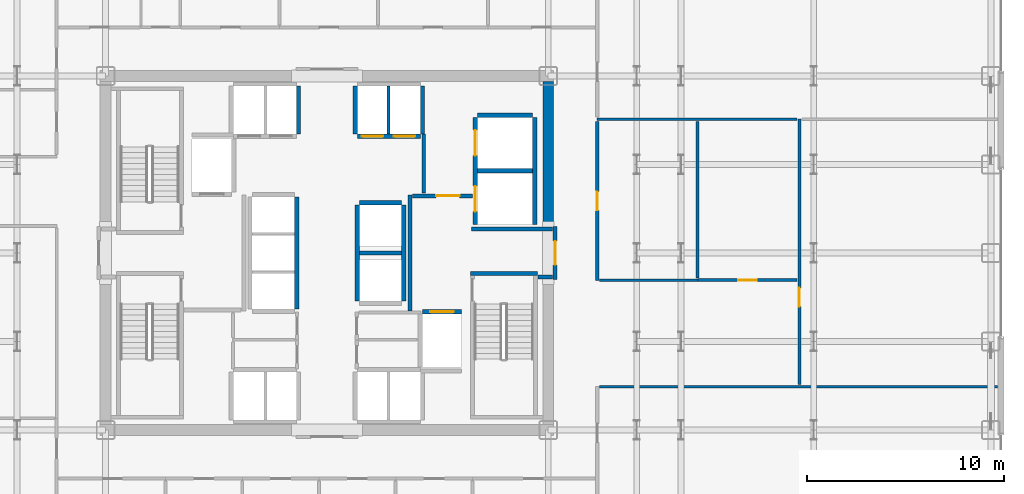
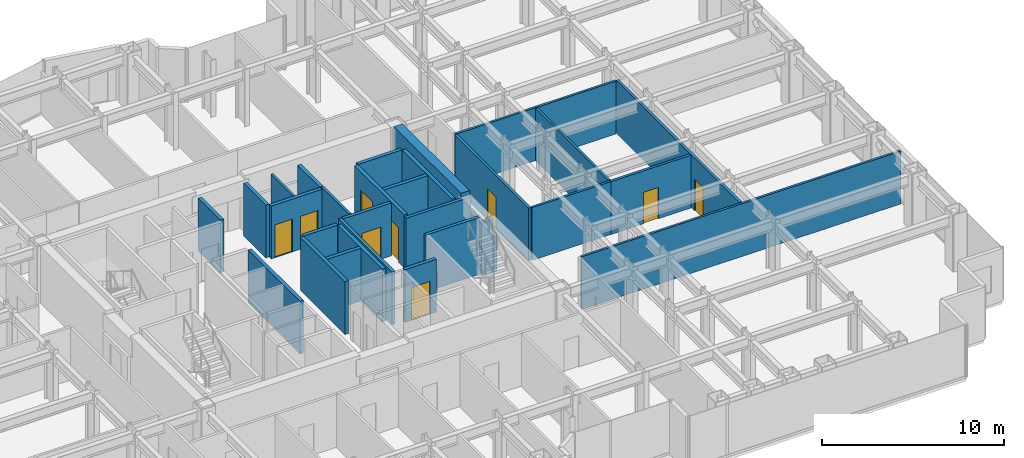
# One storey, part 25 of 29: 30 walls, 10 doors, 10 openings.
"""IFC4 building model written with IfcOpenShell, lengths in metres."""

from ifc_helpers import new_model, si_unit, direction, frame, frame_2d, origin, place, context, subcontext, project, spatial, rectangle, extrude, source, transform, mapped, material, layer, layer_set, type_object, element, fill, save


model = new_model("IFC4")

# Units and contexts
model_context = context("Model", 3, precision=1e-05, world=origin(), true_north=direction((0.0, 1.0)))
body_context = subcontext(model_context, "Body", "Model", "MODEL_VIEW")
ifc_project = project(units=[si_unit("LENGTHUNIT", "METRE"), si_unit("AREAUNIT", "SQUARE_METRE"), si_unit("VOLUMEUNIT", "CUBIC_METRE"), si_unit("PLANEANGLEUNIT", "RADIAN"), si_unit("MASSUNIT", "GRAM", prefix="KILO")], contexts=[model_context])

# Site, building, storey
site_placement = place(None, origin())
site = spatial("IfcSite", under=ifc_project, at=site_placement, CompositionType="ELEMENT")
building_placement = place(site_placement, origin())
building = spatial("IfcBuilding", under=site, at=building_placement, Name="Nefas-Gora Pilgrimage Tower", CompositionType="ELEMENT")
storey_placement = place(building_placement, frame((0.0, 0.0, 90.800048828125)))
storey = spatial("IfcBuildingStorey", under=building, at=storey_placement, Name="L21", CompositionType="ELEMENT", Elevation=90.800048828125)

# Walls
ifc_material_1 = material(Name="Concrete C60/75", Category="concrete")
ifc_layer_1 = layer(ifc_material_1, 0.550048828125)
ifc_layer_set_1 = layer_set([ifc_layer_1], Name="Concrete C60/75")
wall_type_1 = type_object("IfcWallType", Name="SW-CORE-550", PredefinedType="SHEAR", material=ifc_layer_set_1)
shared_shape_1 = source(origin(), body_context, "Body", "SweptSolid", [
    extrude(rectangle(XDim=7.375, YDim=0.550048828125, at=frame_2d((3.6875, 0.0))), origin(), (0.0, 0.0, 1.0), 3.800048828125),
])
wall_1_placement = place(storey_placement, frame((11.25, 1.35009765625, 0.0), z_axis=(0.0, 0.0, 1.0), x_axis=(0.0, 1.0, 0.0)))
element("IfcWall", 1, at=wall_1_placement, inside=storey, type_object=wall_type_1, Name="L21 Core Shear Wall E-North", PredefinedType="SHEAR", context=body_context, shape_type="MappedRepresentation", body=[
    mapped(shared_shape_1, transform((0.0, 0.0, 0.0), x_axis=(1.0, 0.0, 0.0), y_axis=(0.0, 1.0, 0.0), z_axis=(0.0, 0.0, 1.0), scale=1.0)),
])
ifc_material_2 = material(Name="Concrete C45/55", Category="concrete")
ifc_layer_2 = layer(ifc_material_2, 0.199951171875)
ifc_layer_set_2 = layer_set([ifc_layer_2], Name="Concrete C45/55")
wall_type_2 = type_object("IfcWallType", Name="IW-STAIR-200", PredefinedType="SOLIDWALL", material=ifc_layer_set_2)
shared_shape_2 = source(origin(), body_context, "Body", "SweptSolid", [
    extrude(rectangle(XDim=3.39990234375, YDim=0.199951171875, at=frame_2d((1.699951171875, 0.0))), origin(), (0.0, 0.0, 1.0), 3.800048828125),
])
wall_2_placement = place(storey_placement, frame((7.300048828125, -1.050048828125, 0.0), z_axis=(0.0, 0.0, 1.0), x_axis=(1.0, 0.0, 0.0)))
element("IfcWall", 2, at=wall_2_placement, inside=storey, type_object=wall_type_2, Name="L21 Stairwell Shear Wall ST-02-near", PredefinedType="SOLIDWALL", context=body_context, shape_type="MappedRepresentation", body=[
    mapped(shared_shape_2, transform((0.0, 0.0, 0.0), x_axis=(1.0, 0.0, 0.0), y_axis=(0.0, 1.0, 0.0), z_axis=(0.0, 0.0, 1.0), scale=1.0)),
])

# Wall, opening, door
ifc_material_3 = material(Name="Concrete C40/50", Category="concrete")
ifc_layer_3 = layer(ifc_material_3, 0.219970703125)
ifc_layer_set_3 = layer_set([ifc_layer_3], Name="Concrete C40/50")
wall_type_3 = type_object("IfcWallType", Name="IW-SHAFT-220", PredefinedType="SOLIDWALL", material=ifc_layer_set_3)
shared_shape_3 = source(origin(), body_context, "Body", "SweptSolid", [
    extrude(rectangle(XDim=2.0, YDim=0.219970703125, at=frame_2d((1.0, 0.0))), origin(), (0.0, 0.0, 1.0), 3.534912109375),
])
wall_3_placement = place(storey_placement, frame((6.85009765625, -2.989990234375, 0.0), z_axis=(0.0, 0.0, 1.0), x_axis=(-1.0, 0.0, 0.0)))
wall_3 = element("IfcWall", 3, at=wall_3_placement, inside=storey, type_object=wall_type_3, Name="L21 Hoistway Wall FFL-02-N", PredefinedType="SOLIDWALL", context=body_context, shape_type="MappedRepresentation", body=[
    mapped(shared_shape_3, transform((0.0, 0.0, 0.0), x_axis=(1.0, 0.0, 0.0), y_axis=(0.0, 1.0, 0.0), z_axis=(0.0, 0.0, 1.0), scale=1.0)),
])
opening_1_placement = place(wall_3_placement, frame((0.39990234375, 0.0, 0.0)))
opening_1 = element("IfcOpeningElement", 4, at=opening_1_placement, cuts=wall_3, Name="Opening LD-FF", PredefinedType="OPENING", context=body_context, shape_type="SweptSolid", body=[
    extrude(rectangle(XDim=1.199951171875, YDim=2.199951171875, at=frame_2d((0.60009765625, 1.10009765625))), frame((0.0, 0.119873046875, 0.0), z_axis=(0.0, -1.0, 0.0), x_axis=(1.0, 0.0, 0.0)), (0.0, 0.0, 1.0), 0.239990234375),
])
ifc_material_4 = material(Name="Fire-service sliding lift landing door")
door_type_1 = type_object("IfcDoorType", Name="DR-LIFT-FSAE-1200", OperationType="SLIDING_TO_LEFT", PredefinedType="DOOR", material=ifc_material_4)
shared_shape_4 = source(origin(), body_context, "Body", "SweptSolid", [
    extrude(rectangle(XDim=1.199951171875, YDim=2.199951171875, at=frame_2d((0.60009765625, 1.10009765625))), frame((0.0, 0.02490234375, 0.0), z_axis=(0.0, -1.0, 0.0), x_axis=(1.0, 0.0, 0.0)), (0.0, 0.0, 1.0), 0.050048828125),
])
door_1_placement = place(opening_1_placement, origin())
door_1 = element("IfcDoor", 5, at=door_1_placement, inside=storey, type_object=door_type_1, Name="L21 Sliding Lift Landing Door FFL-02", OperationType="SLIDING_TO_LEFT", OverallHeight=2.199951171875, OverallWidth=1.199951171875, PredefinedType="DOOR", context=body_context, shape_type="MappedRepresentation", body=[
    mapped(shared_shape_4, transform((0.0, 0.0, 0.0), x_axis=(1.0, 0.0, 0.0), y_axis=(0.0, 1.0, 0.0), z_axis=(0.0, 0.0, 1.0), scale=1.0)),
])
fill(opening_1, door_1)

# Wall, openings, doors
shared_shape_5 = source(origin(), body_context, "Body", "SweptSolid", [
    extrude(rectangle(XDim=5.449951171875, YDim=0.219970703125, at=frame_2d((2.72509765625, 0.0))), origin(), (0.0, 0.0, 1.0), 3.534912109375),
])
wall_4_placement = place(storey_placement, frame((7.5400390625, 6.89990234375, 0.0), z_axis=(0.0, 0.0, 1.0), x_axis=(0.0, -1.0, 0.0)))
wall_4 = element("IfcWall", 6, at=wall_4_placement, inside=storey, type_object=wall_type_3, Name="L21 Hoistway Wall SL-01-02-W", PredefinedType="SOLIDWALL", context=body_context, shape_type="MappedRepresentation", body=[
    mapped(shared_shape_5, transform((0.0, 0.0, 0.0), x_axis=(1.0, 0.0, 0.0), y_axis=(0.0, 1.0, 0.0), z_axis=(0.0, 0.0, 1.0), scale=1.0)),
])
opening_2_placement = place(wall_4_placement, frame((3.5, 0.0, 0.0)))
opening_2 = element("IfcOpeningElement", 7, at=opening_2_placement, cuts=wall_4, Name="Opening LD-SV", PredefinedType="OPENING", context=body_context, shape_type="SweptSolid", body=[
    extrude(rectangle(XDim=1.300048828125, YDim=2.300048828125, at=frame_2d((0.64990234375, 1.14990234375))), frame((0.0, 0.119873046875, 0.0), z_axis=(0.0, -1.0, 0.0), x_axis=(1.0, 0.0, 0.0)), (0.0, 0.0, 1.0), 0.239990234375),
])
opening_3_placement = place(wall_4_placement, frame((0.64990234375, 0.0, 0.0)))
opening_3 = element("IfcOpeningElement", 8, at=opening_3_placement, cuts=wall_4, Name="Opening LD-SV", PredefinedType="OPENING", context=body_context, shape_type="SweptSolid", body=[
    extrude(rectangle(XDim=1.300048828125, YDim=2.300048828125, at=frame_2d((0.64990234375, 1.14990234375))), frame((0.0, 0.119873046875, 0.0), z_axis=(0.0, -1.0, 0.0), x_axis=(1.0, 0.0, 0.0)), (0.0, 0.0, 1.0), 0.239990234375),
])
ifc_material_5 = material(Name="Heavy goods sliding lift landing door")
door_type_2 = type_object("IfcDoorType", Name="DR-LIFT-SERV-1300", OperationType="SLIDING_TO_RIGHT", PredefinedType="DOOR", material=ifc_material_5)
shared_shape_6 = source(origin(), body_context, "Body", "SweptSolid", [
    extrude(rectangle(XDim=1.300048828125, YDim=2.300048828125, at=frame_2d((0.64990234375, 1.14990234375))), frame((0.0, 0.02490234375, 0.0), z_axis=(0.0, -1.0, 0.0), x_axis=(1.0, 0.0, 0.0)), (0.0, 0.0, 1.0), 0.050048828125),
])
door_2_placement = place(opening_2_placement, origin())
door_2 = element("IfcDoor", 9, at=door_2_placement, inside=storey, type_object=door_type_2, Name="L21 Sliding Lift Landing Door SL-01", OperationType="SLIDING_TO_RIGHT", OverallHeight=2.300048828125, OverallWidth=1.300048828125, PredefinedType="DOOR", context=body_context, shape_type="MappedRepresentation", body=[
    mapped(shared_shape_6, transform((0.0, 0.0, 0.0), x_axis=(1.0, 0.0, 0.0), y_axis=(0.0, 1.0, 0.0), z_axis=(0.0, 0.0, 1.0), scale=1.0)),
])
fill(opening_2, door_2)
door_3_placement = place(opening_3_placement, origin())
door_3 = element("IfcDoor", 10, at=door_3_placement, inside=storey, type_object=door_type_2, Name="L21 Sliding Lift Landing Door SL-02", OperationType="SLIDING_TO_RIGHT", OverallHeight=2.300048828125, OverallWidth=1.300048828125, PredefinedType="DOOR", context=body_context, shape_type="MappedRepresentation", body=[
    mapped(shared_shape_6, transform((0.0, 0.0, 0.0), x_axis=(1.0, 0.0, 0.0), y_axis=(0.0, 1.0, 0.0), z_axis=(0.0, 0.0, 1.0), scale=1.0)),
])
fill(opening_3, door_3)

# Walls
wall_5_placement = place(storey_placement, frame((10.56005859375, 1.449951171875, 0.0), z_axis=(0.0, 0.0, 1.0), x_axis=(0.0, 1.0, 0.0)))
element("IfcWall", 11, at=wall_5_placement, inside=storey, type_object=wall_type_3, Name="L21 Hoistway Wall SL-01-02-E", PredefinedType="SOLIDWALL", context=body_context, shape_type="MappedRepresentation", body=[
    mapped(shared_shape_5, transform((0.0, 0.0, 0.0), x_axis=(1.0, 0.0, 0.0), y_axis=(0.0, 1.0, 0.0), z_axis=(0.0, 0.0, 1.0), scale=1.0)),
])
shared_shape_7 = source(origin(), body_context, "Body", "SweptSolid", [
    extrude(rectangle(XDim=2.780029296875, YDim=0.219970703125, at=frame_2d((1.39013671875, 0.0))), origin(), (0.0, 0.0, 1.0), 3.534912109375),
])
for number, where, z_axis, x_axis, name in (
    (12, (7.659912109375, 4.175048828125, 0.0), (0.0, 0.0, 1.0), (1.0, 0.0, 0.0), "L21 Hoistway Wall SL-01-02-DIV"),
    (13, (10.43994140625, 7.010009765625, 0.0), (0.0, 0.0, 1.0), (-1.0, 0.0, 0.0), "L21 Hoistway Wall SL-02-N"),
):
    element("IfcWall", number, at=place(storey_placement, frame(where, z_axis=z_axis, x_axis=x_axis)), inside=storey, type_object=wall_type_3, Name=name, PredefinedType="SOLIDWALL", context=body_context, shape_type="MappedRepresentation", body=[
        mapped(shared_shape_7, transform((0.0, 0.0, 0.0), x_axis=(1.0, 0.0, 0.0), y_axis=(0.0, 1.0, 0.0), z_axis=(0.0, 0.0, 1.0), scale=1.0)),
    ])

# Wall, openings, doors
shared_shape_8 = source(origin(), body_context, "Body", "SweptSolid", [
    extrude(rectangle(XDim=3.199951171875, YDim=0.219970703125, at=frame_2d((1.60009765625, 0.0))), origin(), (0.0, 0.0, 1.0), 3.534912109375),
])
wall_6_placement = place(storey_placement, frame((1.550048828125, 5.93994140625, 0.0), z_axis=(0.0, 0.0, 1.0), x_axis=(1.0, 0.0, 0.0)))
wall_6 = element("IfcWall", 14, at=wall_6_placement, inside=storey, type_object=wall_type_3, Name="L21 Hoistway Wall PL1-E-S", PredefinedType="SOLIDWALL", context=body_context, shape_type="MappedRepresentation", body=[
    mapped(shared_shape_8, transform((0.0, 0.0, 0.0), x_axis=(1.0, 0.0, 0.0), y_axis=(0.0, 1.0, 0.0), z_axis=(0.0, 0.0, 1.0), scale=1.0)),
])
opening_4_placement = place(wall_6_placement, frame((0.22509765625, 0.0, 0.0)))
opening_4 = element("IfcOpeningElement", 15, at=opening_4_placement, cuts=wall_6, Name="Opening LD-01", PredefinedType="OPENING", context=body_context, shape_type="SweptSolid", body=[
    extrude(rectangle(XDim=1.10009765625, YDim=2.199951171875, at=frame_2d((0.550048828125, 1.10009765625))), frame((0.0, 0.119873046875, 0.0), z_axis=(0.0, -1.0, 0.0), x_axis=(1.0, 0.0, 0.0)), (0.0, 0.0, 1.0), 0.239990234375),
])
opening_5_placement = place(wall_6_placement, frame((1.85009765625, 0.0, 0.0)))
opening_5 = element("IfcOpeningElement", 16, at=opening_5_placement, cuts=wall_6, Name="Opening LD-01", PredefinedType="OPENING", context=body_context, shape_type="SweptSolid", body=[
    extrude(rectangle(XDim=1.10009765625, YDim=2.199951171875, at=frame_2d((0.550048828125, 1.10009765625))), frame((0.0, 0.119873046875, 0.0), z_axis=(0.0, -1.0, 0.0), x_axis=(1.0, 0.0, 0.0)), (0.0, 0.0, 1.0), 0.239990234375),
])
ifc_material_6 = material(Name="Brushed stainless sliding lift landing door")
door_type_3 = type_object("IfcDoorType", Name="DR-LIFT-PASS-1100", OperationType="DOUBLE_DOOR_SLIDING", PredefinedType="DOOR", material=ifc_material_6)
shared_shape_9 = source(origin(), body_context, "Body", "SweptSolid", [
    extrude(rectangle(XDim=1.10009765625, YDim=2.199951171875, at=frame_2d((0.550048828125, 1.10009765625))), frame((0.0, 0.02490234375, 0.0), z_axis=(0.0, -1.0, 0.0), x_axis=(1.0, 0.0, 0.0)), (0.0, 0.0, 1.0), 0.050048828125),
])
door_4_placement = place(opening_4_placement, origin())
door_4 = element("IfcDoor", 17, at=door_4_placement, inside=storey, type_object=door_type_3, Name="L21 Sliding Lift Landing Door PL1-03", OperationType="DOUBLE_DOOR_SLIDING", OverallHeight=2.199951171875, OverallWidth=1.10009765625, PredefinedType="DOOR", context=body_context, shape_type="MappedRepresentation", body=[
    mapped(shared_shape_9, transform((0.0, 0.0, 0.0), x_axis=(1.0, 0.0, 0.0), y_axis=(0.0, 1.0, 0.0), z_axis=(0.0, 0.0, 1.0), scale=1.0)),
])
fill(opening_4, door_4)
door_5_placement = place(opening_5_placement, origin())
door_5 = element("IfcDoor", 18, at=door_5_placement, inside=storey, type_object=door_type_3, Name="L21 Sliding Lift Landing Door PL1-04", OperationType="DOUBLE_DOOR_SLIDING", OverallHeight=2.199951171875, OverallWidth=1.10009765625, PredefinedType="DOOR", context=body_context, shape_type="MappedRepresentation", body=[
    mapped(shared_shape_9, transform((0.0, 0.0, 0.0), x_axis=(1.0, 0.0, 0.0), y_axis=(0.0, 1.0, 0.0), z_axis=(0.0, 0.0, 1.0), scale=1.0)),
])
fill(opening_5, door_5)

# Walls
shared_shape_10 = source(origin(), body_context, "Body", "SweptSolid", [
    extrude(rectangle(XDim=2.429931640625, YDim=0.219970703125, at=frame_2d((1.21484375, 0.0))), origin(), (0.0, 0.0, 1.0), 3.534912109375),
])
for number, where, z_axis, x_axis, name in (
    (19, (-1.43994140625, 6.06005859375, 0.0), (0.0, 0.0, 1.0), (0.0, 1.0, 0.0), "L21 Hoistway Wall PL1-W-E"),
    (20, (1.43994140625, 8.489990234375, 0.0), (0.0, 0.0, 1.0), (0.0, -1.0, 0.0), "L21 Hoistway Wall PL1-E-W"),
    (21, (4.860107421875, 6.06005859375, 0.0), (0.0, 0.0, 1.0), (0.0, 1.0, 0.0), "L21 Hoistway Wall PL1-E-E"),
):
    element("IfcWall", number, at=place(storey_placement, frame(where, z_axis=z_axis, x_axis=x_axis)), inside=storey, type_object=wall_type_3, Name=name, PredefinedType="SOLIDWALL", context=body_context, shape_type="MappedRepresentation", body=[
        mapped(shared_shape_10, transform((0.0, 0.0, 0.0), x_axis=(1.0, 0.0, 0.0), y_axis=(0.0, 1.0, 0.0), z_axis=(0.0, 0.0, 1.0), scale=1.0)),
    ])
ifc_material_7 = material(Name="Gypsum twin-stud partition")
ifc_layer_4 = layer(ifc_material_7, 0.139892578125)
ifc_layer_set_4 = layer_set([ifc_layer_4], Name="Gypsum twin-stud partition")
wall_type_4 = type_object("IfcWallType", Name="IW-UNIT-140", PredefinedType="PARTITIONING", material=ifc_layer_set_4)
shared_shape_11 = source(origin(), body_context, "Body", "SweptSolid", [
    extrude(rectangle(XDim=2.429931640625, YDim=0.139892578125, at=frame_2d((1.21484375, 0.0))), origin(), (0.0, 0.0, 1.0), 3.534912109375),
])
wall_7_placement = place(storey_placement, frame((3.125, 6.06005859375, 0.0), z_axis=(0.0, 0.0, 1.0), x_axis=(0.0, 1.0, 0.0)))
element("IfcWall", 22, at=wall_7_placement, inside=storey, type_object=wall_type_4, Name="L21 Hoistway Wall PL1-E-DIV", PredefinedType="PARTITIONING", context=body_context, shape_type="MappedRepresentation", body=[
    mapped(shared_shape_11, transform((0.0, 0.0, 0.0), x_axis=(1.0, 0.0, 0.0), y_axis=(0.0, 1.0, 0.0), z_axis=(0.0, 0.0, 1.0), scale=1.0)),
])
shared_shape_12 = source(origin(), body_context, "Body", "SweptSolid", [
    extrude(rectangle(XDim=5.7001953125, YDim=0.219970703125, at=frame_2d((2.85009765625, 0.0))), origin(), (0.0, 0.0, 1.0), 3.534912109375),
])
wall_8_placement = place(storey_placement, frame((-1.5400390625, -2.85009765625, 0.0), z_axis=(0.0, 0.0, 1.0), x_axis=(0.0, 1.0, 0.0)))
element("IfcWall", 23, at=wall_8_placement, inside=storey, type_object=wall_type_3, Name="L21 Hoistway Wall PL3-01-03-E", PredefinedType="SOLIDWALL", context=body_context, shape_type="MappedRepresentation", body=[
    mapped(shared_shape_12, transform((0.0, 0.0, 0.0), x_axis=(1.0, 0.0, 0.0), y_axis=(0.0, 1.0, 0.0), z_axis=(0.0, 0.0, 1.0), scale=1.0)),
])
shared_shape_13 = source(origin(), body_context, "Body", "SweptSolid", [
    extrude(rectangle(XDim=2.130126953125, YDim=0.219970703125, at=frame_2d((1.06494140625, 0.0))), origin(), (0.0, 0.0, 1.0), 3.534912109375),
])
for number, where, z_axis, x_axis, name in (
    (24, (1.659912109375, 0.0, 0.0), (0.0, 0.0, 1.0), (1.0, 0.0, 0.0), "L21 Hoistway Wall OBS-01-02-DIV"),
    (25, (3.7900390625, 2.56005859375, 0.0), (0.0, 0.0, 1.0), (-1.0, 0.0, 0.0), "L21 Hoistway Wall OBS-02-N"),
):
    element("IfcWall", number, at=place(storey_placement, frame(where, z_axis=z_axis, x_axis=x_axis)), inside=storey, type_object=wall_type_3, Name=name, PredefinedType="SOLIDWALL", context=body_context, shape_type="MappedRepresentation", body=[
        mapped(shared_shape_13, transform((0.0, 0.0, 0.0), x_axis=(1.0, 0.0, 0.0), y_axis=(0.0, 1.0, 0.0), z_axis=(0.0, 0.0, 1.0), scale=1.0)),
    ])
shared_shape_14 = source(origin(), body_context, "Body", "SweptSolid", [
    extrude(rectangle(XDim=4.89990234375, YDim=0.219970703125, at=frame_2d((2.449951171875, 0.0))), origin(), (0.0, 0.0, 1.0), 3.534912109375),
])
for number, where, z_axis, x_axis, name in (
    (26, (1.5400390625, 2.449951171875, 0.0), (0.0, 0.0, 1.0), (0.0, -1.0, 0.0), "L21 Hoistway Wall OBS-01-02-W"),
    (27, (3.909912109375, -2.449951171875, 0.0), (0.0, 0.0, 1.0), (0.0, 1.0, 0.0), "L21 Hoistway Wall OBS-01-02-E"),
):
    element("IfcWall", number, at=place(storey_placement, frame(where, z_axis=z_axis, x_axis=x_axis)), inside=storey, type_object=wall_type_3, Name=name, PredefinedType="SOLIDWALL", context=body_context, shape_type="MappedRepresentation", body=[
        mapped(shared_shape_14, transform((0.0, 0.0, 0.0), x_axis=(1.0, 0.0, 0.0), y_axis=(0.0, 1.0, 0.0), z_axis=(0.0, 0.0, 1.0), scale=1.0)),
    ])

# Wall, opening, door
ifc_material_8 = material(Name="Gypsum fire-rated shaftwall")
ifc_layer_5 = layer(ifc_material_8, 0.199951171875)
ifc_layer_set_5 = layer_set([ifc_layer_5], Name="Gypsum fire-rated shaftwall")
wall_type_5 = type_object("IfcWallType", Name="IW-FFLOB-200", PredefinedType="PARTITIONING", material=ifc_layer_set_5)
shared_shape_15 = source(origin(), body_context, "Body", "SweptSolid", [
    extrude(rectangle(XDim=2.7001953125, YDim=0.199951171875, at=frame_2d((1.35009765625, 0.0))), origin(), (0.0, 0.0, 1.0), 2.425048828125),
])
wall_9_placement = place(storey_placement, frame((11.60009765625, -1.35009765625, 0.0), z_axis=(0.0, 0.0, 1.0), x_axis=(0.0, 1.0, 0.0)))
wall_9 = element("IfcWall", 28, at=wall_9_placement, inside=storey, type_object=wall_type_5, Name="L21 FF Lobby East Portal Wall 8", PredefinedType="PARTITIONING", context=body_context, shape_type="MappedRepresentation", body=[
    mapped(shared_shape_15, transform((0.0, 0.0, 0.0), x_axis=(1.0, 0.0, 0.0), y_axis=(0.0, 1.0, 0.0), z_axis=(0.0, 0.0, 1.0), scale=1.0)),
])
opening_6_placement = place(wall_9_placement, frame((0.75, 0.0, 0.0)))
opening_6 = element("IfcOpeningElement", 29, at=opening_6_placement, cuts=wall_9, Name="Opening ID-FF1", PredefinedType="OPENING", context=body_context, shape_type="SweptSolid", body=[
    extrude(rectangle(XDim=1.199951171875, YDim=2.14990234375, at=frame_2d((0.60009765625, 1.074951171875))), frame((0.0, 0.10986328125, 0.0), z_axis=(0.0, -1.0, 0.0), x_axis=(1.0, 0.0, 0.0)), (0.0, 0.0, 1.0), 0.219970703125),
])
ifc_material_9 = material(Name="Smoke-sealed steel firefighting lobby door", Category="steel")
door_type_4 = type_object("IfcDoorType", Name="DR-INT-FFLOB-1200", OperationType="NOTDEFINED", PredefinedType="DOOR", material=ifc_material_9)
shared_shape_16 = source(origin(), body_context, "Body", "SweptSolid", [
    extrude(rectangle(XDim=1.199951171875, YDim=2.14990234375, at=frame_2d((0.60009765625, 1.074951171875))), frame((0.0, 0.02490234375, 0.0), z_axis=(0.0, -1.0, 0.0), x_axis=(1.0, 0.0, 0.0)), (0.0, 0.0, 1.0), 0.050048828125),
])
door_6_placement = place(opening_6_placement, origin())
door_6 = element("IfcDoor", 30, at=door_6_placement, inside=storey, type_object=door_type_4, Name="L21 FF Lobby East Portal Door 2", OperationType="SINGLE_SWING_LEFT", OverallHeight=2.14990234375, OverallWidth=1.199951171875, PredefinedType="DOOR", context=body_context, shape_type="MappedRepresentation", body=[
    mapped(shared_shape_16, transform((0.0, 0.0, 0.0), x_axis=(1.0, 0.0, 0.0), y_axis=(0.0, 1.0, 0.0), z_axis=(0.0, 0.0, 1.0), scale=1.0)),
])
fill(opening_6, door_6)

# Walls
shared_shape_17 = source(origin(), body_context, "Body", "SweptSolid", [
    extrude(rectangle(XDim=5.89990234375, YDim=0.199951171875, at=frame_2d((2.949951171875, 0.0))), origin(), (0.0, 0.0, 1.0), 3.534912109375),
])
wall_10_placement = place(storey_placement, frame((4.219970703125, -2.949951171875, 0.0), z_axis=(0.0, 0.0, 1.0), x_axis=(0.0, 1.0, 0.0)))
element("IfcWall", 31, at=wall_10_placement, inside=storey, type_object=wall_type_5, Name="L21 FF Lobby East Inner Wall Wall 9", PredefinedType="PARTITIONING", context=body_context, shape_type="MappedRepresentation", body=[
    mapped(shared_shape_17, transform((0.0, 0.0, 0.0), x_axis=(1.0, 0.0, 0.0), y_axis=(0.0, 1.0, 0.0), z_axis=(0.0, 0.0, 1.0), scale=1.0)),
])
shared_shape_18 = source(origin(), body_context, "Body", "SweptSolid", [
    extrude(rectangle(XDim=0.719970703125, YDim=0.199951171875, at=frame_2d((0.35986328125, 0.0))), origin(), (0.0, 0.0, 1.0), 3.534912109375),
])
wall_11_placement = place(storey_placement, frame((10.739990234375, -1.219970703125, 0.0), z_axis=(0.0, 0.0, 1.0), x_axis=(1.0, 0.0, 0.0)))
element("IfcWall", 32, at=wall_11_placement, inside=storey, type_object=wall_type_5, Name="L21 FF Lobby East Throat S Wall 12", PredefinedType="PARTITIONING", context=body_context, shape_type="MappedRepresentation", body=[
    mapped(shared_shape_18, transform((0.0, 0.0, 0.0), x_axis=(1.0, 0.0, 0.0), y_axis=(0.0, 1.0, 0.0), z_axis=(0.0, 0.0, 1.0), scale=1.0)),
])

# Wall, opening, door
shared_shape_19 = source(origin(), body_context, "Body", "SweptSolid", [
    extrude(rectangle(XDim=3.039794921875, YDim=0.199951171875, at=frame_2d((1.52001953125, 0.0))), origin(), (0.0, 0.0, 1.0), 3.534912109375),
])
wall_12_placement = place(storey_placement, frame((4.360107421875, 2.89990234375, 0.0), z_axis=(0.0, 0.0, 1.0), x_axis=(1.0, 0.0, 0.0)))
wall_12 = element("IfcWall", 33, at=wall_12_placement, inside=storey, type_object=wall_type_5, Name="L21 FF Lobby East North Wall Wall 10", PredefinedType="PARTITIONING", context=body_context, shape_type="MappedRepresentation", body=[
    mapped(shared_shape_19, transform((0.0, 0.0, 0.0), x_axis=(1.0, 0.0, 0.0), y_axis=(0.0, 1.0, 0.0), z_axis=(0.0, 0.0, 1.0), scale=1.0)),
])
opening_7_placement = place(wall_12_placement, frame((1.18994140625, 0.0, 0.0)))
opening_7 = element("IfcOpeningElement", 34, at=opening_7_placement, cuts=wall_12, Name="Opening ID-PL1", PredefinedType="OPENING", context=body_context, shape_type="SweptSolid", body=[
    extrude(rectangle(XDim=1.199951171875, YDim=2.14990234375, at=frame_2d((0.60009765625, 1.074951171875))), frame((0.0, 0.10986328125, 0.0), z_axis=(0.0, -1.0, 0.0), x_axis=(1.0, 0.0, 0.0)), (0.0, 0.0, 1.0), 0.219970703125),
])
ifc_material_10 = material(Name="Heavy-duty steel plant room fire door", Category="steel")
door_type_5 = type_object("IfcDoorType", Name="DR-INT-PLANT-1200", OperationType="NOTDEFINED", PredefinedType="DOOR", material=ifc_material_10)
door_7_placement = place(opening_7_placement, origin())
door_7 = element("IfcDoor", 35, at=door_7_placement, inside=storey, type_object=door_type_5, Name="L21 Service Lift Lobby Door Door 3", OperationType="SINGLE_SWING_RIGHT", OverallHeight=2.14990234375, OverallWidth=1.199951171875, PredefinedType="DOOR", context=body_context, shape_type="MappedRepresentation", body=[
    mapped(shared_shape_16, transform((0.0, 0.0, 0.0), x_axis=(1.0, 0.0, 0.0), y_axis=(0.0, 1.0, 0.0), z_axis=(0.0, 0.0, 1.0), scale=1.0)),
])
fill(opening_7, door_7)

# Walls
shared_shape_20 = source(origin(), body_context, "Body", "SweptSolid", [
    extrude(rectangle(XDim=4.10986328125, YDim=0.199951171875, at=frame_2d((2.054931640625, 0.0))), origin(), (0.0, 0.0, 1.0), 3.534912109375),
])
wall_13_placement = place(storey_placement, frame((7.35009765625, 1.219970703125, 0.0), z_axis=(0.0, 0.0, 1.0), x_axis=(1.0, 0.0, 0.0)))
element("IfcWall", 36, at=wall_13_placement, inside=storey, type_object=wall_type_5, Name="L21 FF Lobby East Throat N Wall 11", PredefinedType="PARTITIONING", context=body_context, shape_type="MappedRepresentation", body=[
    mapped(shared_shape_20, transform((0.0, 0.0, 0.0), x_axis=(1.0, 0.0, 0.0), y_axis=(0.0, 1.0, 0.0), z_axis=(0.0, 0.0, 1.0), scale=1.0)),
])
ifc_material_11 = material(Name="Gypsum acoustic stud partition")
ifc_layer_6 = layer(ifc_material_11, 0.159912109375)
ifc_layer_set_6 = layer_set([ifc_layer_6], Name="Gypsum acoustic stud partition")
wall_type_6 = type_object("IfcWallType", Name="IW-CORR-160", PredefinedType="PARTITIONING", material=ifc_layer_set_6)
shared_shape_21 = source(origin(), body_context, "Body", "SweptSolid", [
    extrude(rectangle(XDim=3.014892578125, YDim=0.159912109375, at=frame_2d((1.50732421875, 0.0))), origin(), (0.0, 0.0, 1.0), 3.534912109375),
])
wall_14_placement = place(storey_placement, frame((4.919921875, 3.0400390625, 0.0), z_axis=(0.0, 0.0, 1.0), x_axis=(0.0, 1.0, 0.0)))
element("IfcWall", 37, at=wall_14_placement, inside=storey, type_object=wall_type_6, Name="L21 Service Lift Lobby West Wall Wall 15", PredefinedType="PARTITIONING", context=body_context, shape_type="MappedRepresentation", body=[
    mapped(shared_shape_21, transform((0.0, 0.0, 0.0), x_axis=(1.0, 0.0, 0.0), y_axis=(0.0, 1.0, 0.0), z_axis=(0.0, 0.0, 1.0), scale=1.0)),
])
shared_shape_22 = source(origin(), body_context, "Body", "SweptSolid", [
    extrude(rectangle(XDim=20.219970703125, YDim=0.139892578125, at=frame_2d((10.10986328125, 0.0))), origin(), (0.0, 0.0, 1.0), 3.534912109375),
])
wall_15_placement = place(storey_placement, frame((13.860107421875, -6.804931640625, 0.0), z_axis=(0.0, 0.0, 1.0), x_axis=(1.0, 0.0, 0.0)))
element("IfcWall", 38, at=wall_15_placement, inside=storey, type_object=wall_type_4, Name="L21 Pilgrim Fellowship Seminar Room Partition Wall 39", PredefinedType="PARTITIONING", context=body_context, shape_type="MappedRepresentation", body=[
    mapped(shared_shape_22, transform((0.0, 0.0, 0.0), x_axis=(1.0, 0.0, 0.0), y_axis=(0.0, 1.0, 0.0), z_axis=(0.0, 0.0, 1.0), scale=1.0)),
])
shared_shape_23 = source(origin(), body_context, "Body", "SweptSolid", [
    extrude(rectangle(XDim=10.169921875, YDim=0.139892578125, at=frame_2d((5.0849609375, 0.0))), origin(), (0.0, 0.0, 1.0), 3.534912109375),
])
wall_16_placement = place(storey_placement, frame((13.72998046875, 6.794921875, 0.0), z_axis=(0.0, 0.0, 1.0), x_axis=(1.0, 0.0, 0.0)))
element("IfcWall", 39, at=wall_16_placement, inside=storey, type_object=wall_type_4, Name="L21 Pilgrim Fellowship Seminar Room Partition Wall 41", PredefinedType="PARTITIONING", context=body_context, shape_type="MappedRepresentation", body=[
    mapped(shared_shape_23, transform((0.0, 0.0, 0.0), x_axis=(1.0, 0.0, 0.0), y_axis=(0.0, 1.0, 0.0), z_axis=(0.0, 0.0, 1.0), scale=1.0)),
])
shared_shape_24 = source(origin(), body_context, "Body", "SweptSolid", [
    extrude(rectangle(XDim=4.994873046875, YDim=0.139892578125, at=frame_2d((2.49755859375, 0.0))), origin(), (0.0, 0.0, 1.0), 3.534912109375),
])
wall_17_placement = place(storey_placement, frame((13.860107421875, -1.3798828125, 0.0), z_axis=(0.0, 0.0, 1.0), x_axis=(1.0, 0.0, 0.0)))
element("IfcWall", 40, at=wall_17_placement, inside=storey, type_object=wall_type_4, Name="L21 Pilgrim Fellowship Seminar Room Partition Wall 44", PredefinedType="PARTITIONING", context=body_context, shape_type="MappedRepresentation", body=[
    mapped(shared_shape_24, transform((0.0, 0.0, 0.0), x_axis=(1.0, 0.0, 0.0), y_axis=(0.0, 1.0, 0.0), z_axis=(0.0, 0.0, 1.0), scale=1.0)),
])

# Wall, opening, door
shared_shape_25 = source(origin(), body_context, "Body", "SweptSolid", [
    extrude(rectangle(XDim=5.044921875, YDim=0.159912109375, at=frame_2d((2.5224609375, 0.0))), origin(), (0.0, 0.0, 1.0), 3.534912109375),
])
wall_18_placement = place(storey_placement, frame((18.85498046875, -1.3798828125, 0.0), z_axis=(0.0, 0.0, 1.0), x_axis=(1.0, 0.0, 0.0)))
wall_18 = element("IfcWall", 41, at=wall_18_placement, inside=storey, type_object=wall_type_6, Name="L21 Pastoral Chaplains Counselling Office Partition Wall 46", PredefinedType="PARTITIONING", context=body_context, shape_type="MappedRepresentation", body=[
    mapped(shared_shape_25, transform((0.0, 0.0, 0.0), x_axis=(1.0, 0.0, 0.0), y_axis=(0.0, 1.0, 0.0), z_axis=(0.0, 0.0, 1.0), scale=1.0)),
])
opening_8_placement = place(wall_18_placement, frame((2.047607421875, 0.0, 0.0)))
opening_8 = element("IfcOpeningElement", 42, at=opening_8_placement, cuts=wall_18, Name="Opening ID-GR1", PredefinedType="OPENING", context=body_context, shape_type="SweptSolid", body=[
    extrude(rectangle(XDim=0.949951171875, YDim=2.10009765625, at=frame_2d((0.47509765625, 1.050048828125))), frame((0.0, 0.08984375, 0.0), z_axis=(0.0, -1.0, 0.0), x_axis=(1.0, 0.0, 0.0)), (0.0, 0.0, 1.0), 0.179931640625),
])
ifc_material_12 = material(Name="Solid core oak fire-rated guest entrance door")
door_type_6 = type_object("IfcDoorType", Name="DR-INT-GUEST-950", OperationType="NOTDEFINED", PredefinedType="DOOR", material=ifc_material_12)
shared_shape_26 = source(origin(), body_context, "Body", "SweptSolid", [
    extrude(rectangle(XDim=0.949951171875, YDim=2.10009765625, at=frame_2d((0.47509765625, 1.050048828125))), frame((0.0, 0.02490234375, 0.0), z_axis=(0.0, -1.0, 0.0), x_axis=(1.0, 0.0, 0.0)), (0.0, 0.0, 1.0), 0.050048828125),
])
door_8_placement = place(opening_8_placement, origin())
door_8 = element("IfcDoor", 43, at=door_8_placement, inside=storey, type_object=door_type_6, Name="L21 Pastoral Chaplains Counselling Office Door 19", OperationType="SINGLE_SWING_RIGHT", OverallHeight=2.10009765625, OverallWidth=0.949951171875, PredefinedType="DOOR", context=body_context, shape_type="MappedRepresentation", body=[
    mapped(shared_shape_26, transform((0.0, 0.0, 0.0), x_axis=(1.0, 0.0, 0.0), y_axis=(0.0, 1.0, 0.0), z_axis=(0.0, 0.0, 1.0), scale=1.0)),
])
fill(opening_8, door_8)

shared_shape_27 = source(origin(), body_context, "Body", "SweptSolid", [
    extrude(rectangle(XDim=13.5, YDim=0.159912109375, at=frame_2d((6.75, 0.0))), origin(), (0.0, 0.0, 1.0), 3.534912109375),
])
wall_19_placement = place(storey_placement, frame((24.02001953125, -6.695068359375, 0.0), z_axis=(0.0, 0.0, 1.0), x_axis=(0.0, 1.0, 0.0)))
wall_19 = element("IfcWall", 44, at=wall_19_placement, inside=storey, type_object=wall_type_6, Name="L21 Pilgrim Fellowship Seminar Room Partition Wall 40", PredefinedType="PARTITIONING", context=body_context, shape_type="MappedRepresentation", body=[
    mapped(shared_shape_27, transform((0.0, 0.0, 0.0), x_axis=(1.0, 0.0, 0.0), y_axis=(0.0, 1.0, 0.0), z_axis=(0.0, 0.0, 1.0), scale=1.0)),
])
opening_9_placement = place(wall_19_placement, frame((3.969970703125, 0.0, 0.0)))
opening_9 = element("IfcOpeningElement", 45, at=opening_9_placement, cuts=wall_19, Name="Opening ID-GR1", PredefinedType="OPENING", context=body_context, shape_type="SweptSolid", body=[
    extrude(rectangle(XDim=0.949951171875, YDim=2.10009765625, at=frame_2d((0.47509765625, 1.050048828125))), frame((0.0, 0.08984375, 0.0), z_axis=(0.0, -1.0, 0.0), x_axis=(1.0, 0.0, 0.0)), (0.0, 0.0, 1.0), 0.179931640625),
])
door_9_placement = place(opening_9_placement, origin())
door_9 = element("IfcDoor", 46, at=door_9_placement, inside=storey, type_object=door_type_6, Name="L21 Pilgrim Fellowship Seminar Room Door 17", OperationType="SINGLE_SWING_RIGHT", OverallHeight=2.10009765625, OverallWidth=0.949951171875, PredefinedType="DOOR", context=body_context, shape_type="MappedRepresentation", body=[
    mapped(shared_shape_26, transform((0.0, 0.0, 0.0), x_axis=(1.0, 0.0, 0.0), y_axis=(0.0, 1.0, 0.0), z_axis=(0.0, 0.0, 1.0), scale=1.0)),
])
fill(opening_9, door_9)

shared_shape_28 = source(origin(), body_context, "Body", "SweptSolid", [
    extrude(rectangle(XDim=8.074951171875, YDim=0.159912109375, at=frame_2d((4.03759765625, 0.0))), origin(), (0.0, 0.0, 1.0), 3.534912109375),
])
wall_20_placement = place(storey_placement, frame((13.739990234375, -1.389892578125, 0.0), z_axis=(0.0, 0.0, 1.0), x_axis=(0.0, 1.0, 0.0)))
wall_20 = element("IfcWall", 47, at=wall_20_placement, inside=storey, type_object=wall_type_6, Name="L21 Pilgrim Fellowship Seminar Room Partition Wall 43", PredefinedType="PARTITIONING", context=body_context, shape_type="MappedRepresentation", body=[
    mapped(shared_shape_28, transform((0.0, 0.0, 0.0), x_axis=(1.0, 0.0, 0.0), y_axis=(0.0, 1.0, 0.0), z_axis=(0.0, 0.0, 1.0), scale=1.0)),
])
opening_10_placement = place(wall_20_placement, frame((3.5625, 0.0, 0.0)))
opening_10 = element("IfcOpeningElement", 48, at=opening_10_placement, cuts=wall_20, Name="Opening ID-GR1", PredefinedType="OPENING", context=body_context, shape_type="SweptSolid", body=[
    extrude(rectangle(XDim=0.949951171875, YDim=2.10009765625, at=frame_2d((0.47509765625, 1.050048828125))), frame((0.0, 0.08984375, 0.0), z_axis=(0.0, -1.0, 0.0), x_axis=(1.0, 0.0, 0.0)), (0.0, 0.0, 1.0), 0.179931640625),
])
door_10_placement = place(opening_10_placement, origin())
door_10 = element("IfcDoor", 49, at=door_10_placement, inside=storey, type_object=door_type_6, Name="L21 Pilgrim Fellowship Seminar Room Door 18", OperationType="SINGLE_SWING_LEFT", OverallHeight=2.10009765625, OverallWidth=0.949951171875, PredefinedType="DOOR", context=body_context, shape_type="MappedRepresentation", body=[
    mapped(shared_shape_26, transform((0.0, 0.0, 0.0), x_axis=(1.0, 0.0, 0.0), y_axis=(0.0, 1.0, 0.0), z_axis=(0.0, 0.0, 1.0), scale=1.0)),
])
fill(opening_10, door_10)

# Wall
shared_shape_29 = source(origin(), body_context, "Body", "SweptSolid", [
    extrude(rectangle(XDim=7.955078125, YDim=0.139892578125, at=frame_2d((3.9775390625, 0.0))), origin(), (0.0, 0.0, 1.0), 3.534912109375),
])
wall_21_placement = place(storey_placement, frame((18.844970703125, -1.27001953125, 0.0), z_axis=(0.0, 0.0, 1.0), x_axis=(0.0, 1.0, 0.0)))
element("IfcWall", 50, at=wall_21_placement, inside=storey, type_object=wall_type_4, Name="L21 Pilgrim Fellowship Seminar Room Partition Wall 45", PredefinedType="PARTITIONING", context=body_context, shape_type="MappedRepresentation", body=[
    mapped(shared_shape_29, transform((0.0, 0.0, 0.0), x_axis=(1.0, 0.0, 0.0), y_axis=(0.0, 1.0, 0.0), z_axis=(0.0, 0.0, 1.0), scale=1.0)),
])

save(model, "model.ifc")
